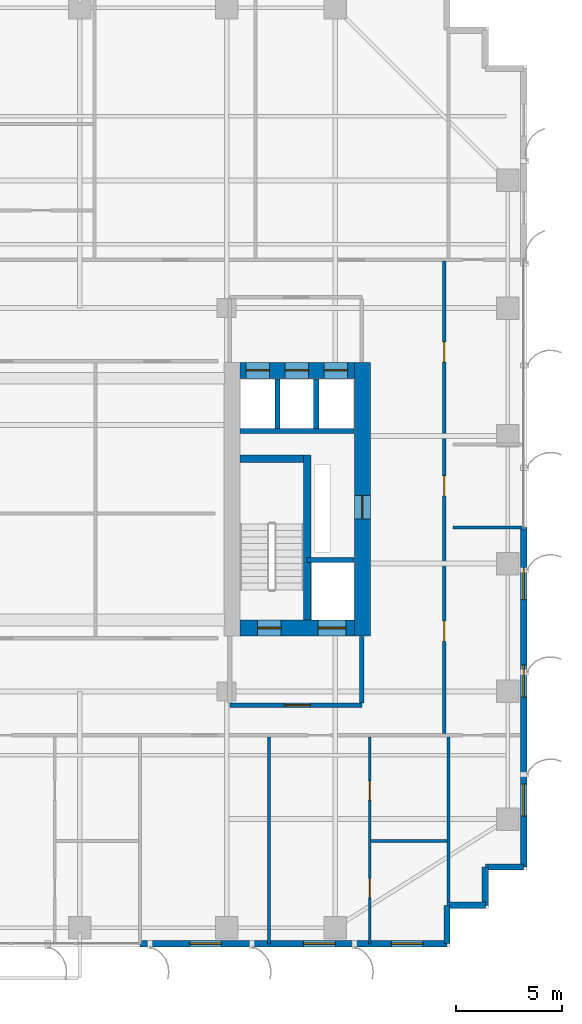
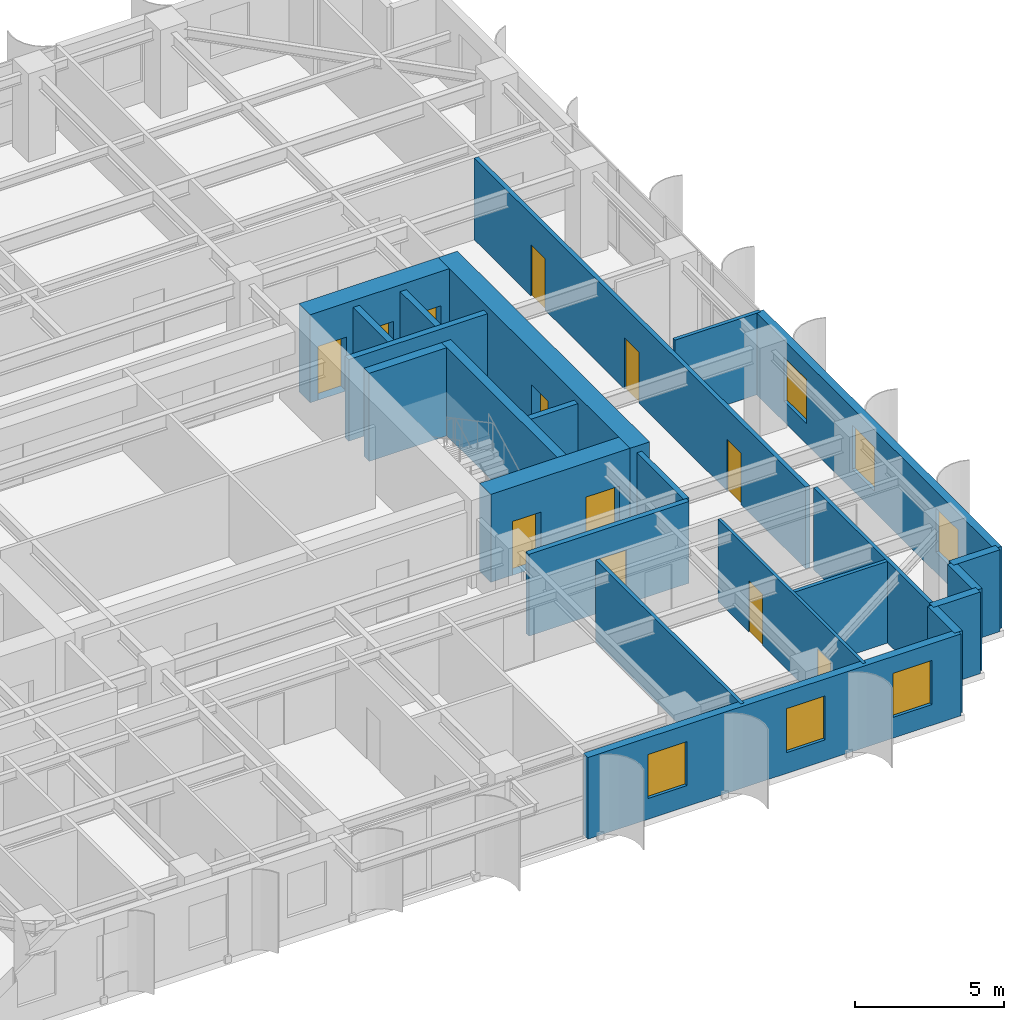
# One storey, part 20 of 25: 23 walls, 12 doors, 6 windows, 18 openings.
"""IFC4 building model written with IfcOpenShell, lengths in metres."""

import ifcopenshell
import ifcopenshell.guid

model = None  # the IFC model being written
_history = None  # IfcOwnerHistory: only IFC2X3 demands one
_inside = {}  # id of a spatial element -> (the spatial element, [elements in it])
_under = {}  # id of a project, library or spatial element -> (it, [spatial elements below it])
_declared = {}  # id of a project -> (the project, [libraries it declares])
_typed = {}  # id of a type object -> (the type object, [elements of that type])
_made_of = {}  # id of a material, layer set ... -> (it, [elements and type objects made of it])


def new_model(schema):
    """Start an empty IFC model of exactly this schema.

    Asked for "IFC4X3", IfcOpenShell would pick the latest addendum, in which some entities
    have other attributes; the version numbers below select the first issue.
    IFC2X3 requires an IfcOwnerHistory on every rooted entity: one is made here for all.
    """
    global model, _history
    if schema == "IFC4X3":
        model = ifcopenshell.file(schema_version=(4, 3, 0, 0))
    else:
        model = ifcopenshell.file(schema=schema)
    _inside.clear()
    _under.clear()
    _declared.clear()
    _typed.clear()
    _made_of.clear()
    _history = None
    if model.schema == "IFC2X3":
        org = make("IfcOrganization", Name="unknown")
        user = make(
            "IfcPersonAndOrganization",
            ThePerson=make("IfcPerson", FamilyName="unknown"),
            TheOrganization=org,
        )
        app = make(
            "IfcApplication",
            ApplicationDeveloper=org,
            Version="unknown",
            ApplicationFullName="unknown",
            ApplicationIdentifier="unknown",
        )
        _history = make(
            "IfcOwnerHistory",
            OwningUser=user,
            OwningApplication=app,
            ChangeAction="ADDED",
            CreationDate=0,
        )
    return model


def make(cls, **values):
    """One entity of the class cls with the attributes given. An attribute that is None is left unset."""
    return model.create_entity(
        cls, **{name: value for name, value in values.items() if value is not None}
    )


def rooted(cls, **values):
    """An entity with a GlobalId (a new one), such as an element, a storey or a relation."""
    return make(cls, GlobalId=ifcopenshell.guid.new(), OwnerHistory=_history, **values)


def si_unit(unit_type, name, prefix=None):
    """IfcSIUnit, for example si_unit("LENGTHUNIT", "METRE", prefix="MILLI")."""
    return make("IfcSIUnit", UnitType=unit_type, Prefix=prefix, Name=name)


def assignment(units):
    """IfcUnitAssignment: the units of a project."""
    return None if units is None else make("IfcUnitAssignment", Units=units)


def point(xyz):
    """IfcCartesianPoint."""
    return None if xyz is None else make("IfcCartesianPoint", Coordinates=xyz)


def direction(xyz):
    """IfcDirection."""
    return None if xyz is None else make("IfcDirection", DirectionRatios=xyz)


def frame(location, z_axis=None, x_axis=None):
    """IfcAxis2Placement3D, a coordinate frame: its origin and axes. An axis left out is left unset."""
    return make(
        "IfcAxis2Placement3D",
        Location=point(location),
        Axis=direction(z_axis),
        RefDirection=direction(x_axis),
    )


def frame_2d(location, x_axis=None):
    """IfcAxis2Placement2D, a coordinate frame in the plane: its origin and x axis."""
    return make(
        "IfcAxis2Placement2D", Location=point(location), RefDirection=direction(x_axis)
    )


def origin():
    """The frame at (0, 0, 0) with its axes left unset."""
    return frame((0.0, 0.0, 0.0))


def place(relative_to, where):
    """IfcLocalPlacement: puts the frame where relative to a parent placement (None: the world)."""
    return make(
        "IfcLocalPlacement", PlacementRelTo=relative_to, RelativePlacement=where
    )


def context(
    kind, dimensions, precision=None, world=None, true_north=None, identifier=None
):
    """IfcGeometricRepresentationContext, for example the 3D "Model" context."""
    return make(
        "IfcGeometricRepresentationContext",
        ContextIdentifier=identifier,
        ContextType=kind,
        CoordinateSpaceDimension=dimensions,
        Precision=precision,
        WorldCoordinateSystem=world,
        TrueNorth=true_north,
    )


def subcontext(parent, identifier, kind, view, scale=None):
    """IfcGeometricRepresentationSubContext, for example "Body" below "Model"."""
    return make(
        "IfcGeometricRepresentationSubContext",
        ContextIdentifier=identifier,
        ContextType=kind,
        ParentContext=parent,
        TargetScale=scale,
        TargetView=view,
    )


def project(units=None, contexts=None):
    """IfcProject with its units and contexts."""
    return rooted(
        "IfcProject",
        Name="project",
        RepresentationContexts=contexts,
        UnitsInContext=assignment(units),
    )


def spatial(cls, under=None, at=None, **own):
    """A site, building, storey or space (cls), placed at a placement, below another one or the project."""
    s = rooted(cls, ObjectPlacement=at, **own)
    if under is not None:
        _under.setdefault(under.id(), (under, []))[1].append(s)
    return s


def profile(cls, at=None, kind="AREA", **sizes):
    """A parametric profile (cls). Its sizes go by their IFC names, for example OverallWidth=200.0."""
    return make(cls, ProfileType=kind, Position=at, **sizes)


def rectangle(**sizes):
    """IfcRectangleProfileDef."""
    return profile("IfcRectangleProfileDef", **sizes)


def extrude(swept, where, along, depth):
    """IfcExtrudedAreaSolid: the profile swept, set in the frame where, extruded along a direction by depth."""
    return make(
        "IfcExtrudedAreaSolid",
        SweptArea=swept,
        Position=where,
        ExtrudedDirection=direction(along),
        Depth=depth,
    )


def shape(context_of_items, identifier, shape_type, items):
    """IfcShapeRepresentation: the items that make up one representation, for example the "Body"."""
    return make(
        "IfcShapeRepresentation",
        ContextOfItems=context_of_items,
        RepresentationIdentifier=identifier,
        RepresentationType=shape_type,
        Items=items,
    )


def source(mapping_origin, context_of_items, identifier, shape_type, items):
    """IfcRepresentationMap: a shape defined once, which mapped items show again and again."""
    return make(
        "IfcRepresentationMap",
        MappingOrigin=mapping_origin,
        MappedRepresentation=shape(context_of_items, identifier, shape_type, items),
    )


def transform(
    local_origin,
    x_axis=None,
    y_axis=None,
    z_axis=None,
    scale=None,
    scale2=None,
    scale3=None,
    uniform=True,
):
    """IfcCartesianTransformationOperator3D, or its non-uniform kind. x_axis, y_axis, z_axis: its Axis1, 2, 3."""
    if uniform:
        return make(
            "IfcCartesianTransformationOperator3D",
            Axis1=direction(x_axis),
            Axis2=direction(y_axis),
            LocalOrigin=point(local_origin),
            Scale=scale,
            Axis3=direction(z_axis),
        )
    return make(
        "IfcCartesianTransformationOperator3DnonUniform",
        Axis1=direction(x_axis),
        Axis2=direction(y_axis),
        LocalOrigin=point(local_origin),
        Scale=scale,
        Axis3=direction(z_axis),
        Scale2=scale2,
        Scale3=scale3,
    )


def mapped(mapping_source, mapping_target):
    """IfcMappedItem: shows the shape of a source again, moved by a transform."""
    return make(
        "IfcMappedItem", MappingSource=mapping_source, MappingTarget=mapping_target
    )


def material(Name=None, Category=None):
    """IfcMaterial."""
    return make("IfcMaterial", Name=Name, Category=Category)


def layer(
    of_material, thickness, ventilated=None, Name=None, Category=None, Priority=None
):
    """IfcMaterialLayer: one layer of a wall or slab, of a material (None: an air gap)."""
    return make(
        "IfcMaterialLayer",
        Material=of_material,
        LayerThickness=thickness,
        IsVentilated=ventilated,
        Name=Name,
        Category=Category,
        Priority=Priority,
    )


def layer_set(layers, Name=None):
    """IfcMaterialLayerSet."""
    return make("IfcMaterialLayerSet", MaterialLayers=layers, LayerSetName=Name)


def made_of(thing, what):
    """Note that an element or type object is made of a material, layer set ...; save() writes the relation."""
    if what is not None:
        _made_of.setdefault(what.id(), (what, []))[1].append(thing)
    return thing


def type_object(cls, material=None, **own):
    """A type object (cls), such as IfcWallType, which elements share."""
    return made_of(rooted(cls, **own), material)


def element(
    cls,
    number,
    at=None,
    inside=None,
    cuts=None,
    type_object=None,
    material=None,
    context=None,
    identifier="Body",
    shape_type=None,
    held_by="IfcProductDefinitionShape",
    body=None,
    shapes=None,
    **own,
):
    """One element of the class cls, such as IfcWall. Its Tag is "e" and its number.

    at: its placement. inside: the storey or other place that contains it. cuts: it is an
    opening in that element (IfcRelVoidsElement). A single representation is given by context,
    identifier, shape_type and body (its items); several are given by shapes. held_by: the class
    of the entity that holds the representations. save() writes the other relations.
    """
    e = rooted(cls, Tag="e%d" % number, ObjectPlacement=at, **own)
    if body is not None:
        shapes = [shape(context, identifier, shape_type, body)]
    if shapes is not None:
        e.Representation = make(held_by, Representations=shapes)
    if inside is not None:
        _inside.setdefault(inside.id(), (inside, []))[1].append(e)
    if cuts is not None:
        rooted(
            "IfcRelVoidsElement", RelatingBuildingElement=cuts, RelatedOpeningElement=e
        )
    if type_object is not None:
        _typed.setdefault(type_object.id(), (type_object, []))[1].append(e)
    return made_of(e, material)


def fill(opening, filler):
    """IfcRelFillsElement: the door or window that sits in an opening."""
    return rooted(
        "IfcRelFillsElement",
        RelatingOpeningElement=opening,
        RelatedBuildingElement=filler,
    )


def aggregate(whole, parts):
    """IfcRelAggregates: a whole, such as a stair, and the parts it consists of."""
    return rooted("IfcRelAggregates", RelatingObject=whole, RelatedObjects=parts)


def save(model, path):
    """Write the relations noted so far, then the file.

    IfcRelAggregates (storeys below a building ...), IfcRelContainedInSpatialStructure (elements
    in a storey), IfcRelDefinesByType, IfcRelAssociatesMaterial and IfcRelDeclares: one each for
    every whole, place, type object, material and project.
    """
    for whole, parts in _under.values():
        aggregate(whole, parts)
    for where, things in _inside.values():
        rooted(
            "IfcRelContainedInSpatialStructure",
            RelatedElements=things,
            RelatingStructure=where,
        )
    for kind, things in _typed.values():
        rooted("IfcRelDefinesByType", RelatedObjects=things, RelatingType=kind)
    for what, things in _made_of.values():
        rooted("IfcRelAssociatesMaterial", RelatedObjects=things, RelatingMaterial=what)
    for by, libraries in _declared.values():
        rooted("IfcRelDeclares", RelatingContext=by, RelatedDefinitions=libraries)
    model.write(path)


model = new_model("IFC4")

# Units and contexts
model_context = context("Model", 3, precision=1e-05, world=origin(), true_north=direction((0.0, 1.0)))
body_context = subcontext(model_context, "Body", "Model", "MODEL_VIEW")
ifc_project = project(units=[si_unit("LENGTHUNIT", "METRE"), si_unit("AREAUNIT", "SQUARE_METRE"), si_unit("VOLUMEUNIT", "CUBIC_METRE"), si_unit("PLANEANGLEUNIT", "RADIAN"), si_unit("MASSUNIT", "GRAM", prefix="KILO")], contexts=[model_context])

# Site, building, storey
site_placement = place(None, origin())
site = spatial("IfcSite", under=ifc_project, at=site_placement, CompositionType="ELEMENT")
building_placement = place(site_placement, origin())
building = spatial("IfcBuilding", under=site, at=building_placement, Name="Khoralis Quay Care Tower", CompositionType="ELEMENT")
storey_placement = place(building_placement, frame((0.0, 0.0, 134.10009765625)))
storey = spatial("IfcBuildingStorey", under=building, at=storey_placement, Name="L35", CompositionType="ELEMENT", Elevation=134.10009765625)

# Wall, opening, door
ifc_material_1 = material(Name="Gypsum plasterboard on acoustic metal stud")
ifc_layer_1 = layer(ifc_material_1, 0.199951171875)
ifc_layer_set_1 = layer_set([ifc_layer_1], Name="Gypsum plasterboard on acoustic metal stud")
wall_type_1 = type_object("IfcWallType", Name="WL-COMP-200", PredefinedType="PARTITIONING", material=ifc_layer_set_1)
wall_1_placement = place(storey_placement, frame((31.050048828125, 11.35009765625, 0.0), z_axis=(0.0, 0.0, 1.0), x_axis=(1.0, 0.0, 0.0)))
wall_1 = element("IfcWall", 1, at=wall_1_placement, inside=storey, type_object=wall_type_1, Name="L35 East Firefighting Lobby South Wall", PredefinedType="PARTITIONING", context=body_context, shape_type="SweptSolid", body=[
    extrude(rectangle(XDim=6.199951171875, YDim=0.199951171875, at=frame_2d((3.10009765625, 0.0))), origin(), (0.0, 0.0, 1.0), 3.33984375),
])
opening_1_placement = place(wall_1_placement, frame((2.585693359375, 0.0, 0.0)))
opening_1 = element("IfcOpeningElement", 2, at=opening_1_placement, cuts=wall_1, Name="Opening FD1", PredefinedType="OPENING", context=body_context, shape_type="SweptSolid", body=[
    extrude(rectangle(XDim=1.199951171875, YDim=2.199951171875, at=frame_2d((0.60009765625, 1.10009765625))), frame((0.0, 0.10986328125, 0.0), z_axis=(0.0, -1.0, 0.0), x_axis=(1.0, 0.0, 0.0)), (0.0, 0.0, 1.0), 0.219970703125),
])
ifc_material_2 = material(Name="Fire-rated painted steel", Category="steel")
door_type_1 = type_object("IfcDoorType", Name="DR-FFL-1200X2200", OperationType="NOTDEFINED", PredefinedType="DOOR", material=ifc_material_2)
shared_shape_1 = source(origin(), body_context, "Body", "SweptSolid", [
    extrude(rectangle(XDim=1.199951171875, YDim=2.199951171875, at=frame_2d((0.60009765625, 1.10009765625))), frame((0.0, 0.02490234375, 0.0), z_axis=(0.0, -1.0, 0.0), x_axis=(1.0, 0.0, 0.0)), (0.0, 0.0, 1.0), 0.050048828125),
])
door_1_placement = place(opening_1_placement, origin())
door_1 = element("IfcDoor", 3, at=door_1_placement, inside=storey, type_object=door_type_1, Name="L35 East Firefighting Lobby Fire Door", OperationType="SINGLE_SWING_RIGHT", OverallHeight=2.199951171875, OverallWidth=1.199951171875, PredefinedType="DOOR", context=body_context, shape_type="MappedRepresentation", body=[
    mapped(shared_shape_1, transform((0.0, 0.0, 0.0), scale=1.0)),
])
fill(opening_1, door_1)

# Wall
wall_2_placement = place(storey_placement, frame((37.25, 11.445068359375, 0.0), z_axis=(0.0, 0.0, 1.0), x_axis=(0.0, 1.0, 0.0)))
element("IfcWall", 4, at=wall_2_placement, inside=storey, type_object=wall_type_1, Name="L35 East Firefighting Lobby East Wall", PredefinedType="PARTITIONING", context=body_context, shape_type="SweptSolid", body=[
    extrude(rectangle(XDim=3.135009765625, YDim=0.199951171875, at=frame_2d((1.5673828125, 0.0))), origin(), (0.0, 0.0, 1.0), 3.33984375),
])

# Wall, opening, door
ifc_material_3 = material(Name="Concrete C80/95", Category="concrete")
ifc_layer_2 = layer(ifc_material_3, 0.75)
ifc_layer_set_2 = layer_set([ifc_layer_2], Name="Concrete C80/95")
wall_type_2 = type_object("IfcWallType", Name="WL-CORE-750", PredefinedType="SHEAR", material=ifc_layer_set_2)
wall_3_placement = place(storey_placement, frame((37.27490234375, 14.60009765625, 0.0), z_axis=(0.0, 0.0, 1.0), x_axis=(0.0, 1.0, 0.0)))
wall_3 = element("IfcWall", 5, at=wall_3_placement, inside=storey, type_object=wall_type_2, Name="L35 ECORE East Shear Wall", PredefinedType="SHEAR", context=body_context, shape_type="SweptSolid", body=[
    extrude(rectangle(XDim=12.849853515625, YDim=0.75, at=frame_2d((6.4248046875, 0.0))), origin(), (0.0, 0.0, 1.0), 3.599853515625),
])
opening_2_placement = place(wall_3_placement, frame((5.5, 0.0, 0.0)))
opening_2 = element("IfcOpeningElement", 6, at=opening_2_placement, cuts=wall_3, Name="Opening SD1", PredefinedType="OPENING", context=body_context, shape_type="SweptSolid", body=[
    extrude(rectangle(XDim=1.10009765625, YDim=2.199951171875, at=frame_2d((0.550048828125, 1.10009765625))), frame((0.0, 0.385009765625, 0.0), z_axis=(0.0, -1.0, 0.0), x_axis=(1.0, 0.0, 0.0)), (0.0, 0.0, 1.0), 0.77001953125),
])
door_type_2 = type_object("IfcDoorType", Name="DR-STAIR-1100X2200", OperationType="NOTDEFINED", PredefinedType="DOOR", material=ifc_material_2)
shared_shape_2 = source(origin(), body_context, "Body", "SweptSolid", [
    extrude(rectangle(XDim=1.10009765625, YDim=2.199951171875, at=frame_2d((0.550048828125, 1.10009765625))), frame((0.0, 0.02490234375, 0.0), z_axis=(0.0, -1.0, 0.0), x_axis=(1.0, 0.0, 0.0)), (0.0, 0.0, 1.0), 0.050048828125),
])
door_2_placement = place(opening_2_placement, frame((1.10009765625, 0.0, 0.0), z_axis=(0.0, 0.0, 1.0), x_axis=(-1.0, 0.0, 0.0)))
door_2 = element("IfcDoor", 7, at=door_2_placement, inside=storey, type_object=door_type_2, Name="L35 East MEP Riser Door", OperationType="SINGLE_SWING_RIGHT", OverallHeight=2.199951171875, OverallWidth=1.10009765625, PredefinedType="DOOR", context=body_context, shape_type="MappedRepresentation", body=[
    mapped(shared_shape_2, transform((0.0, 0.0, 0.0), scale=1.0)),
])
fill(opening_2, door_2)

# Wall, openings, doors
wall_4_placement = place(storey_placement, frame((31.52001953125, 14.97509765625, 0.0), z_axis=(0.0, 0.0, 1.0), x_axis=(1.0, 0.0, 0.0)))
wall_4 = element("IfcWall", 8, at=wall_4_placement, inside=storey, type_object=wall_type_2, Name="L35 ECORE South Shear Wall", PredefinedType="SHEAR", context=body_context, shape_type="SweptSolid", body=[
    extrude(rectangle(XDim=5.3798828125, YDim=0.75, at=frame_2d((2.68994140625, 0.0))), origin(), (0.0, 0.0, 1.0), 3.599853515625),
])
opening_3_placement = place(wall_4_placement, frame((0.830078125, 0.0, 0.0)))
opening_3 = element("IfcOpeningElement", 9, at=opening_3_placement, cuts=wall_4, Name="Opening SD1", PredefinedType="OPENING", context=body_context, shape_type="SweptSolid", body=[
    extrude(rectangle(XDim=1.10009765625, YDim=2.199951171875, at=frame_2d((0.550048828125, 1.10009765625))), frame((0.0, 0.385009765625, 0.0), z_axis=(0.0, -1.0, 0.0), x_axis=(1.0, 0.0, 0.0)), (0.0, 0.0, 1.0), 0.77001953125),
])
opening_4_placement = place(wall_4_placement, frame((3.679931640625, 0.0, 0.0)))
opening_4 = element("IfcOpeningElement", 10, at=opening_4_placement, cuts=wall_4, Name="Opening LD2", PredefinedType="OPENING", context=body_context, shape_type="SweptSolid", body=[
    extrude(rectangle(XDim=1.300048828125, YDim=2.199951171875, at=frame_2d((0.64990234375, 1.10009765625))), frame((0.0, 0.385009765625, 0.0), z_axis=(0.0, -1.0, 0.0), x_axis=(1.0, 0.0, 0.0)), (0.0, 0.0, 1.0), 0.77001953125),
])
door_3_placement = place(opening_3_placement, origin())
door_3 = element("IfcDoor", 11, at=door_3_placement, inside=storey, type_object=door_type_2, Name="L35 Stair ST-T2 Fire Door", OperationType="SINGLE_SWING_RIGHT", OverallHeight=2.199951171875, OverallWidth=1.10009765625, PredefinedType="DOOR", context=body_context, shape_type="MappedRepresentation", body=[
    mapped(shared_shape_2, transform((0.0, 0.0, 0.0), scale=1.0)),
])
fill(opening_3, door_3)
ifc_material_4 = material(Name="Brushed stainless steel", Category="steel")
door_type_3 = type_object("IfcDoorType", Name="DR-LIFT-1300X2200", OperationType="SLIDING_TO_RIGHT", PredefinedType="DOOR", material=ifc_material_4)
shared_shape_3 = source(origin(), body_context, "Body", "SweptSolid", [
    extrude(rectangle(XDim=1.300048828125, YDim=2.199951171875, at=frame_2d((0.64990234375, 1.10009765625))), frame((0.0, 0.02490234375, 0.0), z_axis=(0.0, -1.0, 0.0), x_axis=(1.0, 0.0, 0.0)), (0.0, 0.0, 1.0), 0.050048828125),
])
door_4_placement = place(opening_4_placement, origin())
door_4 = element("IfcDoor", 12, at=door_4_placement, inside=storey, type_object=door_type_3, Name="L35 Firefighting Lift FFL-2 Landing Door", OperationType="SLIDING_TO_RIGHT", OverallHeight=2.199951171875, OverallWidth=1.300048828125, PredefinedType="DOOR", context=body_context, shape_type="MappedRepresentation", body=[
    mapped(shared_shape_3, transform((0.0, 0.0, 0.0), scale=1.0)),
])
fill(opening_4, door_4)

wall_5_placement = place(storey_placement, frame((31.52001953125, 27.074951171875, 0.0), z_axis=(0.0, 0.0, 1.0), x_axis=(1.0, 0.0, 0.0)))
wall_5 = element("IfcWall", 13, at=wall_5_placement, inside=storey, type_object=wall_type_2, Name="L35 ECORE North Shear Wall", PredefinedType="SHEAR", context=body_context, shape_type="SweptSolid", body=[
    extrude(rectangle(XDim=5.3798828125, YDim=0.75, at=frame_2d((2.68994140625, 0.0))), origin(), (0.0, 0.0, 1.0), 3.599853515625),
])
opening_5_placement = place(wall_5_placement, frame((0.300048828125, 0.0, 0.0)))
opening_5 = element("IfcOpeningElement", 14, at=opening_5_placement, cuts=wall_5, Name="Opening LD1", PredefinedType="OPENING", context=body_context, shape_type="SweptSolid", body=[
    extrude(rectangle(XDim=1.10009765625, YDim=2.199951171875, at=frame_2d((0.550048828125, 1.10009765625))), frame((0.0, 0.385009765625, 0.0), z_axis=(0.0, -1.0, 0.0), x_axis=(1.0, 0.0, 0.0)), (0.0, 0.0, 1.0), 0.77001953125),
])
opening_6_placement = place(wall_5_placement, frame((2.1298828125, 0.0, 0.0)))
opening_6 = element("IfcOpeningElement", 15, at=opening_6_placement, cuts=wall_5, Name="Opening LD1", PredefinedType="OPENING", context=body_context, shape_type="SweptSolid", body=[
    extrude(rectangle(XDim=1.10009765625, YDim=2.199951171875, at=frame_2d((0.550048828125, 1.10009765625))), frame((0.0, 0.385009765625, 0.0), z_axis=(0.0, -1.0, 0.0), x_axis=(1.0, 0.0, 0.0)), (0.0, 0.0, 1.0), 0.77001953125),
])
opening_7_placement = place(wall_5_placement, frame((3.9599609375, 0.0, 0.0)))
opening_7 = element("IfcOpeningElement", 16, at=opening_7_placement, cuts=wall_5, Name="Opening LD1", PredefinedType="OPENING", context=body_context, shape_type="SweptSolid", body=[
    extrude(rectangle(XDim=1.10009765625, YDim=2.199951171875, at=frame_2d((0.550048828125, 1.10009765625))), frame((0.0, 0.385009765625, 0.0), z_axis=(0.0, -1.0, 0.0), x_axis=(1.0, 0.0, 0.0)), (0.0, 0.0, 1.0), 0.77001953125),
])
door_type_4 = type_object("IfcDoorType", Name="DR-LIFT-1100X2200", OperationType="SLIDING_TO_LEFT", PredefinedType="DOOR", material=ifc_material_4)
shared_shape_4 = source(origin(), body_context, "Body", "SweptSolid", [
    extrude(rectangle(XDim=1.10009765625, YDim=2.199951171875, at=frame_2d((0.550048828125, 1.10009765625))), frame((0.0, 0.02490234375, 0.0), z_axis=(0.0, -1.0, 0.0), x_axis=(1.0, 0.0, 0.0)), (0.0, 0.0, 1.0), 0.050048828125),
])
door_5_placement = place(opening_5_placement, origin())
door_5 = element("IfcDoor", 17, at=door_5_placement, inside=storey, type_object=door_type_4, Name="L35 Lift PLL2 Landing Door", OperationType="SLIDING_TO_LEFT", OverallHeight=2.199951171875, OverallWidth=1.10009765625, PredefinedType="DOOR", context=body_context, shape_type="MappedRepresentation", body=[
    mapped(shared_shape_4, transform((0.0, 0.0, 0.0), scale=1.0)),
])
fill(opening_5, door_5)
door_6_placement = place(opening_6_placement, origin())
door_6 = element("IfcDoor", 18, at=door_6_placement, inside=storey, type_object=door_type_4, Name="L35 Lift PLM2 Landing Door", OperationType="SLIDING_TO_LEFT", OverallHeight=2.199951171875, OverallWidth=1.10009765625, PredefinedType="DOOR", context=body_context, shape_type="MappedRepresentation", body=[
    mapped(shared_shape_4, transform((0.0, 0.0, 0.0), scale=1.0)),
])
fill(opening_6, door_6)
door_7_placement = place(opening_7_placement, origin())
door_7 = element("IfcDoor", 19, at=door_7_placement, inside=storey, type_object=door_type_4, Name="L35 Lift PLH2 Landing Door", OperationType="SLIDING_TO_LEFT", OverallHeight=2.199951171875, OverallWidth=1.10009765625, PredefinedType="DOOR", context=body_context, shape_type="MappedRepresentation", body=[
    mapped(shared_shape_4, transform((0.0, 0.0, 0.0), scale=1.0)),
])
fill(opening_7, door_7)

ifc_layer_3 = layer(ifc_material_1, 0.1650390625)
ifc_layer_set_3 = layer_set([ifc_layer_3], Name="Gypsum plasterboard on acoustic metal stud")
wall_type_3 = type_object("IfcWallType", Name="WL-CORR-165", PredefinedType="PARTITIONING", material=ifc_layer_set_3)
wall_6_placement = place(storey_placement, frame((41.1201171875, 10.017578125, 0.0), z_axis=(0.0, 0.0, 1.0), x_axis=(0.0, 1.0, 0.0)))
wall_6 = element("IfcWall", 20, at=wall_6_placement, inside=storey, type_object=wall_type_3, Name="L35 East Loop Corridor Wall", PredefinedType="PARTITIONING", context=body_context, shape_type="SweptSolid", body=[
    extrude(rectangle(XDim=22.184814453125, YDim=0.1650390625, at=frame_2d((11.09228515625, 0.0))), origin(), (0.0, 0.0, 1.0), 3.33984375),
])
opening_8_placement = place(wall_6_placement, frame((4.327392578125, 0.0, 0.0)))
opening_8 = element("IfcOpeningElement", 21, at=opening_8_placement, cuts=wall_6, Name="Opening ID1", PredefinedType="OPENING", context=body_context, shape_type="SweptSolid", body=[
    extrude(rectangle(XDim=0.949951171875, YDim=2.10009765625, at=frame_2d((0.47509765625, 1.050048828125))), frame((0.0, 0.092529296875, 0.0), z_axis=(0.0, -1.0, 0.0), x_axis=(1.0, 0.0, 0.0)), (0.0, 0.0, 1.0), 0.18505859375),
])
opening_9_placement = place(wall_6_placement, frame((11.157470703125, 0.0, 0.0)))
opening_9 = element("IfcOpeningElement", 22, at=opening_9_placement, cuts=wall_6, Name="Opening ID1", PredefinedType="OPENING", context=body_context, shape_type="SweptSolid", body=[
    extrude(rectangle(XDim=0.949951171875, YDim=2.10009765625, at=frame_2d((0.47509765625, 1.050048828125))), frame((0.0, 0.092529296875, 0.0), z_axis=(0.0, -1.0, 0.0), x_axis=(1.0, 0.0, 0.0)), (0.0, 0.0, 1.0), 0.18505859375),
])
opening_10_placement = place(wall_6_placement, frame((17.447509765625, 0.0, 0.0)))
opening_10 = element("IfcOpeningElement", 23, at=opening_10_placement, cuts=wall_6, Name="Opening ID1", PredefinedType="OPENING", context=body_context, shape_type="SweptSolid", body=[
    extrude(rectangle(XDim=0.949951171875, YDim=2.10009765625, at=frame_2d((0.47509765625, 1.050048828125))), frame((0.0, 0.092529296875, 0.0), z_axis=(0.0, -1.0, 0.0), x_axis=(1.0, 0.0, 0.0)), (0.0, 0.0, 1.0), 0.18505859375),
])
ifc_material_5 = material(Name="Acoustic hardwood timber", Category="wood")
door_type_5 = type_object("IfcDoorType", Name="DR-ROOM-950X2100", OperationType="NOTDEFINED", PredefinedType="DOOR", material=ifc_material_5)
shared_shape_5 = source(origin(), body_context, "Body", "SweptSolid", [
    extrude(rectangle(XDim=0.949951171875, YDim=2.10009765625, at=frame_2d((0.47509765625, 1.050048828125))), frame((0.0, 0.02490234375, 0.0), z_axis=(0.0, -1.0, 0.0), x_axis=(1.0, 0.0, 0.0)), (0.0, 0.0, 1.0), 0.050048828125),
])
door_8_placement = place(opening_8_placement, frame((0.949951171875, 0.0, 0.0), z_axis=(0.0, 0.0, 1.0), x_axis=(-1.0, 0.0, 0.0)))
door_8 = element("IfcDoor", 24, at=door_8_placement, inside=storey, type_object=door_type_5, Name="L35 Therapy Consultation Room Door", OperationType="SINGLE_SWING_LEFT", OverallHeight=2.10009765625, OverallWidth=0.949951171875, PredefinedType="DOOR", context=body_context, shape_type="MappedRepresentation", body=[
    mapped(shared_shape_5, transform((0.0, 0.0, 0.0), scale=1.0)),
])
fill(opening_8, door_8)
door_9_placement = place(opening_9_placement, frame((0.949951171875, 0.0, 0.0), z_axis=(0.0, 0.0, 1.0), x_axis=(-1.0, 0.0, 0.0)))
door_9 = element("IfcDoor", 25, at=door_9_placement, inside=storey, type_object=door_type_5, Name="L35 Assisted Activity Lounge Door", OperationType="SINGLE_SWING_RIGHT", OverallHeight=2.10009765625, OverallWidth=0.949951171875, PredefinedType="DOOR", context=body_context, shape_type="MappedRepresentation", body=[
    mapped(shared_shape_5, transform((0.0, 0.0, 0.0), scale=1.0)),
])
fill(opening_9, door_9)
door_10_placement = place(opening_10_placement, frame((0.949951171875, 0.0, 0.0), z_axis=(0.0, 0.0, 1.0), x_axis=(-1.0, 0.0, 0.0)))
door_10 = element("IfcDoor", 26, at=door_10_placement, inside=storey, type_object=door_type_5, Name="L35 Nurse Charting Office Door", OperationType="SINGLE_SWING_LEFT", OverallHeight=2.10009765625, OverallWidth=0.949951171875, PredefinedType="DOOR", context=body_context, shape_type="MappedRepresentation", body=[
    mapped(shared_shape_5, transform((0.0, 0.0, 0.0), scale=1.0)),
])
fill(opening_10, door_10)

# Wall, openings, windows
ifc_material_6 = material(Name="Precast concrete C45/55", Category="concrete")
ifc_layer_4 = layer(ifc_material_6, 0.300048828125)
ifc_layer_set_4 = layer_set([ifc_layer_4], Name="Precast concrete C45/55")
wall_type_4 = type_object("IfcWallType", Name="WL-EXT-REF-300", PredefinedType="SOLIDWALL", material=ifc_layer_set_4)
wall_7_placement = place(storey_placement, frame((26.840087890625, 0.14990234375, 0.0), z_axis=(0.0, 0.0, 1.0), x_axis=(1.0, 0.0, 0.0)))
wall_7 = element("IfcWall", 27, at=wall_7_placement, inside=storey, type_object=wall_type_4, Name="L35 External Facade Wall WL-EXT-L35-P1-E0B", PredefinedType="SOLIDWALL", context=body_context, shape_type="SweptSolid", body=[
    extrude(rectangle(XDim=14.409912109375, YDim=0.300048828125, at=frame_2d((7.205078125, 0.0))), origin(), (0.0, 0.0, 1.0), 3.33984375),
])
opening_11_placement = place(wall_7_placement, frame((2.330078125, 0.0, 0.85009765625)))
opening_11 = element("IfcOpeningElement", 28, at=opening_11_placement, cuts=wall_7, Name="Opening W3", PredefinedType="OPENING", context=body_context, shape_type="SweptSolid", body=[
    extrude(rectangle(XDim=1.5, YDim=1.800048828125, at=frame_2d((0.75, 0.89990234375))), frame((0.0, 0.16015625, 0.0), z_axis=(0.0, -1.0, 0.0), x_axis=(1.0, 0.0, 0.0)), (0.0, 0.0, 1.0), 0.320068359375),
])
opening_12_placement = place(wall_7_placement, frame((7.66748046875, 0.0, 0.85009765625)))
opening_12 = element("IfcOpeningElement", 29, at=opening_12_placement, cuts=wall_7, Name="Opening W3", PredefinedType="OPENING", context=body_context, shape_type="SweptSolid", body=[
    extrude(rectangle(XDim=1.5, YDim=1.800048828125, at=frame_2d((0.75, 0.89990234375))), frame((0.0, 0.16015625, 0.0), z_axis=(0.0, -1.0, 0.0), x_axis=(1.0, 0.0, 0.0)), (0.0, 0.0, 1.0), 0.320068359375),
])
opening_13_placement = place(wall_7_placement, frame((11.79248046875, 0.0, 0.85009765625)))
opening_13 = element("IfcOpeningElement", 30, at=opening_13_placement, cuts=wall_7, Name="Opening W3", PredefinedType="OPENING", context=body_context, shape_type="SweptSolid", body=[
    extrude(rectangle(XDim=1.5, YDim=1.800048828125, at=frame_2d((0.75, 0.89990234375))), frame((0.0, 0.16015625, 0.0), z_axis=(0.0, -1.0, 0.0), x_axis=(1.0, 0.0, 0.0)), (0.0, 0.0, 1.0), 0.320068359375),
])
ifc_material_7 = material(Name="Low-E solar-control double glazing", Category="glass")
window_type = type_object("IfcWindowType", Name="WN-CLIN-1500X1800", PartitioningType="SINGLE_PANEL", PredefinedType="WINDOW", material=ifc_material_7)
shared_shape_6 = source(origin(), body_context, "Body", "SweptSolid", [
    extrude(rectangle(XDim=1.5, YDim=1.800048828125, at=frame_2d((0.75, 0.89990234375))), frame((0.0, 0.030029296875, 0.0), z_axis=(0.0, -1.0, 0.0), x_axis=(1.0, 0.0, 0.0)), (0.0, 0.0, 1.0), 0.06005859375),
])
window_1_placement = place(opening_11_placement, origin())
window_1 = element("IfcWindow", 31, at=window_1_placement, inside=storey, type_object=window_type, Name="WN-L35-P1-E0B Facade Window 01", OverallHeight=1.800048828125, OverallWidth=1.5, PartitioningType="SINGLE_PANEL", PredefinedType="WINDOW", context=body_context, shape_type="MappedRepresentation", body=[
    mapped(shared_shape_6, transform((0.0, 0.0, 0.0), scale=1.0)),
])
fill(opening_11, window_1)
window_2_placement = place(opening_12_placement, origin())
window_2 = element("IfcWindow", 32, at=window_2_placement, inside=storey, type_object=window_type, Name="WN-L35-P1-E0B Facade Window 02", OverallHeight=1.800048828125, OverallWidth=1.5, PartitioningType="SINGLE_PANEL", PredefinedType="WINDOW", context=body_context, shape_type="MappedRepresentation", body=[
    mapped(shared_shape_6, transform((0.0, 0.0, 0.0), scale=1.0)),
])
fill(opening_12, window_2)
window_3_placement = place(opening_13_placement, origin())
window_3 = element("IfcWindow", 33, at=window_3_placement, inside=storey, type_object=window_type, Name="WN-L35-P1-E0B Facade Window 03", OverallHeight=1.800048828125, OverallWidth=1.5, PartitioningType="SINGLE_PANEL", PredefinedType="WINDOW", context=body_context, shape_type="MappedRepresentation", body=[
    mapped(shared_shape_6, transform((0.0, 0.0, 0.0), scale=1.0)),
])
fill(opening_13, window_3)

# Walls
for number, where, z_axis, x_axis, name in (
    (34, (41.25, 0.14990234375, 0.0), (0.0, 0.0, 1.0), (0.0, 1.0, 0.0), "L35 External Facade Wall WL-EXT-L35-P1-C1"),
    (35, (41.25, 1.949951171875, 0.0), (0.0, 0.0, 1.0), (1.0, 0.0, 0.0), "L35 External Facade Wall WL-EXT-L35-P1-C2"),
    (36, (43.050048828125, 1.949951171875, 0.0), (0.0, 0.0, 1.0), (0.0, 1.0, 0.0), "L35 External Facade Wall WL-EXT-L35-P1-C3"),
    (37, (43.050048828125, 3.75, 0.0), (0.0, 0.0, 1.0), (1.0, 0.0, 0.0), "L35 External Facade Wall WL-EXT-L35-P1-C4"),
):
    element("IfcWall", number, at=place(storey_placement, frame(where, z_axis=z_axis, x_axis=x_axis)), inside=storey, type_object=wall_type_4, Name=name, PredefinedType="SOLIDWALL", context=body_context, shape_type="SweptSolid", body=[
        extrude(rectangle(XDim=1.800048828125, YDim=0.300048828125, at=frame_2d((0.89990234375, 0.0))), origin(), (0.0, 0.0, 1.0), 3.33984375),
    ])

# Wall, openings, windows
wall_8_placement = place(storey_placement, frame((44.85009765625, 3.75, 0.0), z_axis=(0.0, 0.0, 1.0), x_axis=(0.0, 1.0, 0.0)))
wall_8 = element("IfcWall", 38, at=wall_8_placement, inside=storey, type_object=wall_type_4, Name="L35 External Facade Wall WL-EXT-L35-P1-E5A", PredefinedType="SOLIDWALL", context=body_context, shape_type="SweptSolid", body=[
    extrude(rectangle(XDim=15.949951171875, YDim=0.300048828125, at=frame_2d((7.97509765625, 0.0))), origin(), (0.0, 0.0, 1.0), 3.33984375),
])
opening_14_placement = place(wall_8_placement, frame((2.39501953125, 0.0, 0.85009765625)))
opening_14 = element("IfcOpeningElement", 39, at=opening_14_placement, cuts=wall_8, Name="Opening W3", PredefinedType="OPENING", context=body_context, shape_type="SweptSolid", body=[
    extrude(rectangle(XDim=1.5, YDim=1.800048828125, at=frame_2d((0.75, 0.89990234375))), frame((0.0, 0.16015625, 0.0), z_axis=(0.0, -1.0, 0.0), x_axis=(1.0, 0.0, 0.0)), (0.0, 0.0, 1.0), 0.320068359375),
])
opening_15_placement = place(wall_8_placement, frame((7.985107421875, 0.0, 0.85009765625)))
opening_15 = element("IfcOpeningElement", 40, at=opening_15_placement, cuts=wall_8, Name="Opening W3", PredefinedType="OPENING", context=body_context, shape_type="SweptSolid", body=[
    extrude(rectangle(XDim=1.5, YDim=1.800048828125, at=frame_2d((0.75, 0.89990234375))), frame((0.0, 0.16015625, 0.0), z_axis=(0.0, -1.0, 0.0), x_axis=(1.0, 0.0, 0.0)), (0.0, 0.0, 1.0), 0.320068359375),
])
opening_16_placement = place(wall_8_placement, frame((12.554931640625, 0.0, 0.85009765625)))
opening_16 = element("IfcOpeningElement", 41, at=opening_16_placement, cuts=wall_8, Name="Opening W3", PredefinedType="OPENING", context=body_context, shape_type="SweptSolid", body=[
    extrude(rectangle(XDim=1.5, YDim=1.800048828125, at=frame_2d((0.75, 0.89990234375))), frame((0.0, 0.16015625, 0.0), z_axis=(0.0, -1.0, 0.0), x_axis=(1.0, 0.0, 0.0)), (0.0, 0.0, 1.0), 0.320068359375),
])
window_4_placement = place(opening_14_placement, origin())
window_4 = element("IfcWindow", 42, at=window_4_placement, inside=storey, type_object=window_type, Name="WN-L35-P1-E5A Facade Window 01", OverallHeight=1.800048828125, OverallWidth=1.5, PartitioningType="SINGLE_PANEL", PredefinedType="WINDOW", context=body_context, shape_type="MappedRepresentation", body=[
    mapped(shared_shape_6, transform((0.0, 0.0, 0.0), scale=1.0)),
])
fill(opening_14, window_4)
window_5_placement = place(opening_15_placement, origin())
window_5 = element("IfcWindow", 43, at=window_5_placement, inside=storey, type_object=window_type, Name="WN-L35-P1-E5A Facade Window 02", OverallHeight=1.800048828125, OverallWidth=1.5, PartitioningType="SINGLE_PANEL", PredefinedType="WINDOW", context=body_context, shape_type="MappedRepresentation", body=[
    mapped(shared_shape_6, transform((0.0, 0.0, 0.0), scale=1.0)),
])
fill(opening_15, window_5)
window_6_placement = place(opening_16_placement, origin())
window_6 = element("IfcWindow", 44, at=window_6_placement, inside=storey, type_object=window_type, Name="WN-L35-P1-E5A Facade Window 03", OverallHeight=1.800048828125, OverallWidth=1.5, PartitioningType="SINGLE_PANEL", PredefinedType="WINDOW", context=body_context, shape_type="MappedRepresentation", body=[
    mapped(shared_shape_6, transform((0.0, 0.0, 0.0), scale=1.0)),
])
fill(opening_16, window_6)

# Wall, openings, doors
ifc_layer_5 = layer(ifc_material_1, 0.114990234375)
ifc_layer_set_5 = layer_set([ifc_layer_5], Name="Gypsum plasterboard on acoustic metal stud")
wall_type_5 = type_object("IfcWallType", Name="WL-PART-115", PredefinedType="PARTITIONING", material=ifc_layer_set_5)
wall_9_placement = place(storey_placement, frame((37.614990234375, 0.14501953125, 0.0), z_axis=(0.0, 0.0, 1.0), x_axis=(0.0, 1.0, 0.0)))
wall_9 = element("IfcWall", 45, at=wall_9_placement, inside=storey, type_object=wall_type_5, Name="L35 Studio 4 Internal Wall", PredefinedType="PARTITIONING", context=body_context, shape_type="SweptSolid", body=[
    extrude(rectangle(XDim=9.717529296875, YDim=0.114990234375, at=frame_2d((4.85888671875, 0.0))), origin(), (0.0, 0.0, 1.0), 3.33984375),
])
opening_17_placement = place(wall_9_placement, frame((2.1650390625, 0.0, 0.0)))
opening_17 = element("IfcOpeningElement", 46, at=opening_17_placement, cuts=wall_9, Name="Opening WD1", PredefinedType="OPENING", context=body_context, shape_type="SweptSolid", body=[
    extrude(rectangle(XDim=0.89990234375, YDim=2.10009765625, at=frame_2d((0.449951171875, 1.050048828125))), frame((0.0, 0.0673828125, 0.0), z_axis=(0.0, -1.0, 0.0), x_axis=(1.0, 0.0, 0.0)), (0.0, 0.0, 1.0), 0.135009765625),
])
opening_18_placement = place(wall_9_placement, frame((6.7451171875, 0.0, 0.0)))
opening_18 = element("IfcOpeningElement", 47, at=opening_18_placement, cuts=wall_9, Name="Opening WD1", PredefinedType="OPENING", context=body_context, shape_type="SweptSolid", body=[
    extrude(rectangle(XDim=0.89990234375, YDim=2.10009765625, at=frame_2d((0.449951171875, 1.050048828125))), frame((0.0, 0.0673828125, 0.0), z_axis=(0.0, -1.0, 0.0), x_axis=(1.0, 0.0, 0.0)), (0.0, 0.0, 1.0), 0.135009765625),
])
door_type_6 = type_object("IfcDoorType", Name="DR-BATH-900X2100", OperationType="NOTDEFINED", PredefinedType="DOOR", material=ifc_material_5)
shared_shape_7 = source(origin(), body_context, "Body", "SweptSolid", [
    extrude(rectangle(XDim=0.89990234375, YDim=2.10009765625, at=frame_2d((0.449951171875, 1.050048828125))), frame((0.0, 0.02490234375, 0.0), z_axis=(0.0, -1.0, 0.0), x_axis=(1.0, 0.0, 0.0)), (0.0, 0.0, 1.0), 0.050048828125),
])
door_11_placement = place(opening_17_placement, frame((0.89990234375, 0.0, 0.0), z_axis=(0.0, 0.0, 1.0), x_axis=(-1.0, 0.0, 0.0)))
door_11 = element("IfcDoor", 48, at=door_11_placement, inside=storey, type_object=door_type_6, Name="L35 Studio SKT Door", OperationType="SINGLE_SWING_RIGHT", OverallHeight=2.10009765625, OverallWidth=0.89990234375, PredefinedType="DOOR", context=body_context, shape_type="MappedRepresentation", body=[
    mapped(shared_shape_7, transform((0.0, 0.0, 0.0), scale=1.0)),
])
fill(opening_17, door_11)
door_12_placement = place(opening_18_placement, frame((0.89990234375, 0.0, 0.0), z_axis=(0.0, 0.0, 1.0), x_axis=(-1.0, 0.0, 0.0)))
door_12 = element("IfcDoor", 49, at=door_12_placement, inside=storey, type_object=door_type_6, Name="L35 Studio SBH Door", OperationType="SINGLE_SWING_LEFT", OverallHeight=2.10009765625, OverallWidth=0.89990234375, PredefinedType="DOOR", context=body_context, shape_type="MappedRepresentation", body=[
    mapped(shared_shape_7, transform((0.0, 0.0, 0.0), scale=1.0)),
])
fill(opening_18, door_12)

# Walls
ifc_material_8 = material(Name="Moisture-resistant gypsum and ceramic tile")
ifc_layer_6 = layer(ifc_material_8, 0.280029296875)
ifc_layer_set_6 = layer_set([ifc_layer_6], Name="Moisture-resistant gypsum and ceramic tile")
wall_type_6 = type_object("IfcWallType", Name="WL-PLUMB-280", PredefinedType="PLUMBINGWALL", material=ifc_layer_set_6)
wall_10_placement = place(storey_placement, frame((37.66748046875, 4.969970703125, 0.0), z_axis=(0.0, 0.0, 1.0), x_axis=(1.0, 0.0, 0.0)))
element("IfcWall", 50, at=wall_10_placement, inside=storey, type_object=wall_type_6, Name="L35 Studio 4 Wet Split", PredefinedType="PLUMBINGWALL", context=body_context, shape_type="SweptSolid", body=[
    extrude(rectangle(XDim=3.58740234375, YDim=0.139892578125, at=frame_2d((1.793701171875, 0.0))), origin(), (0.0, 0.0, 1.0), 3.33984375),
])
ifc_material_9 = material(Name="Concrete C40/50", Category="concrete")
ifc_layer_7 = layer(ifc_material_9, 0.35009765625)
ifc_layer_set_7 = layer_set([ifc_layer_7], Name="Concrete C40/50")
wall_type_7 = type_object("IfcWallType", Name="WL-SC-CORE-350", PredefinedType="SHEAR", material=ifc_layer_set_7)
wall_11_placement = place(storey_placement, frame((34.695068359375, 15.35009765625, 0.0), z_axis=(0.0, 0.0, 1.0), x_axis=(0.0, 1.0, 0.0)))
element("IfcWall", 51, at=wall_11_placement, inside=storey, type_object=wall_type_7, Name="L35 Stair ST-T2 Shear Baffle Wall East", PredefinedType="SHEAR", context=body_context, shape_type="SweptSolid", body=[
    extrude(rectangle(XDim=7.75, YDim=0.35009765625, at=frame_2d((3.875, 0.0))), origin(), (0.0, 0.0, 1.0), 3.599853515625),
])
wall_12_placement = place(storey_placement, frame((31.52001953125, 22.925048828125, 0.0), z_axis=(0.0, 0.0, 1.0), x_axis=(1.0, 0.0, 0.0)))
element("IfcWall", 52, at=wall_12_placement, inside=storey, type_object=wall_type_7, Name="L35 Stair ST-T2 Shear Baffle Wall North", PredefinedType="SHEAR", context=body_context, shape_type="SweptSolid", body=[
    extrude(rectangle(XDim=3.0, YDim=0.35009765625, at=frame_2d((1.5, 0.0))), origin(), (0.0, 0.0, 1.0), 3.599853515625),
])
ifc_layer_8 = layer(ifc_material_1, 0.239990234375)
ifc_layer_set_8 = layer_set([ifc_layer_8], Name="Gypsum plasterboard on acoustic metal stud")
wall_type_8 = type_object("IfcWallType", Name="WL-SHAFT-240", PredefinedType="PARTITIONING", material=ifc_layer_set_8)
wall_13_placement = place(storey_placement, frame((34.679931640625, 18.169921875, 0.0), z_axis=(0.0, 0.0, 1.0), x_axis=(1.0, 0.0, 0.0)))
element("IfcWall", 53, at=wall_13_placement, inside=storey, type_object=wall_type_8, Name="L35 FFL-2 Shaft Wall North", PredefinedType="PARTITIONING", context=body_context, shape_type="SweptSolid", body=[
    extrude(rectangle(XDim=2.199951171875, YDim=0.239990234375, at=frame_2d((1.10009765625, 0.0))), origin(), (0.0, 0.0, 1.0), 3.33984375),
])
wall_14_placement = place(storey_placement, frame((31.52001953125, 24.22998046875, 0.0), z_axis=(0.0, 0.0, 1.0), x_axis=(1.0, 0.0, 0.0)))
element("IfcWall", 54, at=wall_14_placement, inside=storey, type_object=wall_type_8, Name="L35 East Passenger Shaft South Wall", PredefinedType="PARTITIONING", context=body_context, shape_type="SweptSolid", body=[
    extrude(rectangle(XDim=5.35986328125, YDim=0.239990234375, at=frame_2d((2.679931640625, 0.0))), origin(), (0.0, 0.0, 1.0), 3.33984375),
])
for number, where, z_axis, x_axis, name in (
    (55, (33.2900390625, 24.344970703125, 0.0), (0.0, 0.0, 1.0), (0.0, 1.0, 0.0), "L35 East Shaft Divider 1"),
    (56, (35.110107421875, 24.344970703125, 0.0), (0.0, 0.0, 1.0), (0.0, 1.0, 0.0), "L35 East Shaft Divider 2"),
):
    element("IfcWall", number, at=place(storey_placement, frame(where, z_axis=z_axis, x_axis=x_axis)), inside=storey, type_object=wall_type_8, Name=name, PredefinedType="PARTITIONING", context=body_context, shape_type="SweptSolid", body=[
        extrude(rectangle(XDim=2.3349609375, YDim=0.239990234375, at=frame_2d((1.16748046875, 0.0))), origin(), (0.0, 0.0, 1.0), 3.33984375),
    ])
ifc_layer_9 = layer(ifc_material_1, 0.139892578125)
ifc_layer_set_9 = layer_set([ifc_layer_9], Name="Gypsum plasterboard on acoustic metal stud")
wall_type_9 = type_object("IfcWallType", Name="WL-UNIT-140", PredefinedType="PARTITIONING", material=ifc_layer_set_9)
wall_15_placement = place(storey_placement, frame((41.5400390625, 19.699951171875, 0.0), z_axis=(0.0, 0.0, 1.0), x_axis=(1.0, 0.0, 0.0)))
element("IfcWall", 57, at=wall_15_placement, inside=storey, type_object=wall_type_9, Name="L35 EE Divider 1", PredefinedType="PARTITIONING", context=body_context, shape_type="SweptSolid", body=[
    extrude(rectangle(XDim=3.31494140625, YDim=0.139892578125, at=frame_2d((1.657470703125, 0.0))), origin(), (0.0, 0.0, 1.0), 3.33984375),
])
wall_16_placement = place(storey_placement, frame((32.89990234375, 0.14501953125, 0.0), z_axis=(0.0, 0.0, 1.0), x_axis=(0.0, 1.0, 0.0)))
element("IfcWall", 58, at=wall_16_placement, inside=storey, type_object=wall_type_9, Name="L35 SB Demising Wall 4", PredefinedType="PARTITIONING", context=body_context, shape_type="SweptSolid", body=[
    extrude(rectangle(XDim=9.717529296875, YDim=0.139892578125, at=frame_2d((4.85888671875, 0.0))), origin(), (0.0, 0.0, 1.0), 3.33984375),
])
wall_17_placement = place(storey_placement, frame((41.320068359375, 1.945068359375, 0.0), z_axis=(0.0, 0.0, 1.0), x_axis=(0.0, 1.0, 0.0)))
element("IfcWall", 59, at=wall_17_placement, inside=storey, type_object=wall_type_9, Name="L35 SB Demising Wall 5", PredefinedType="PARTITIONING", context=body_context, shape_type="SweptSolid", body=[
    extrude(rectangle(XDim=7.91748046875, YDim=0.139892578125, at=frame_2d((3.958740234375, 0.0))), origin(), (0.0, 0.0, 1.0), 3.33984375),
])

save(model, "model.ifc")
